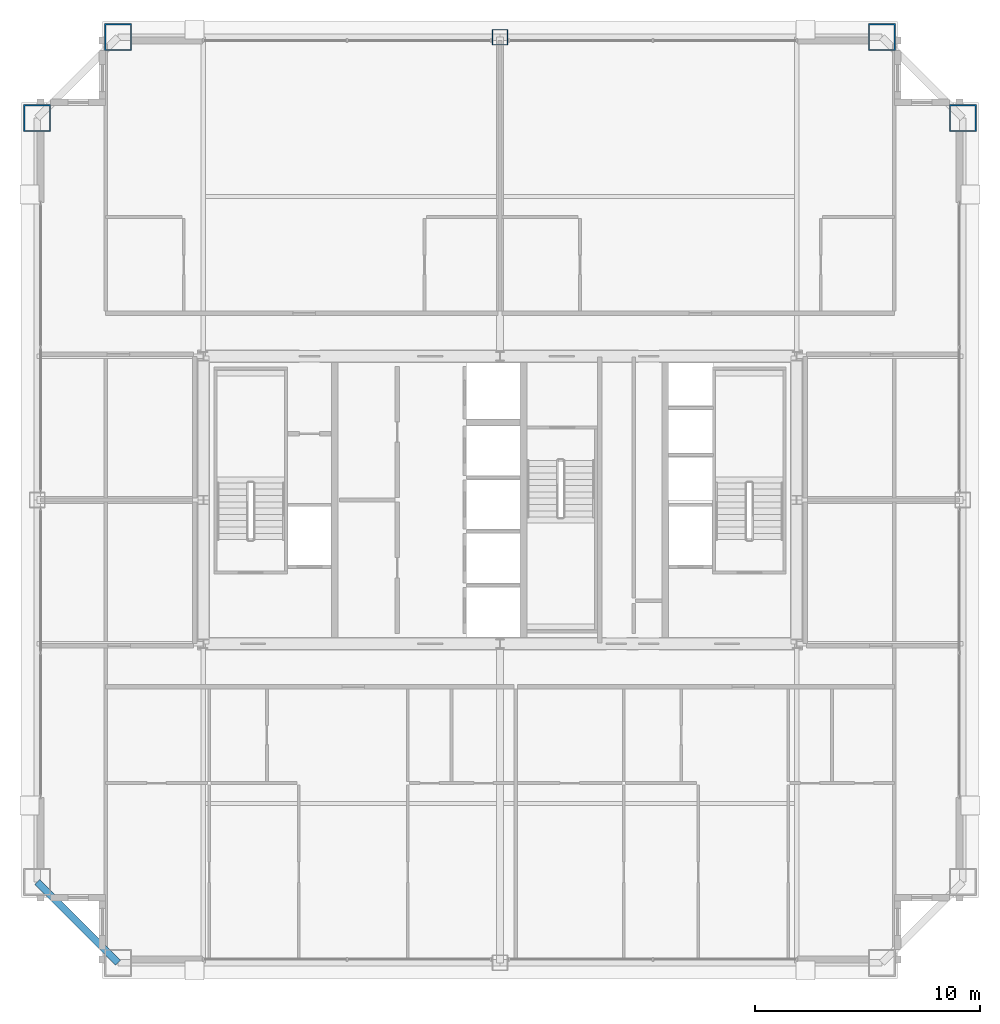
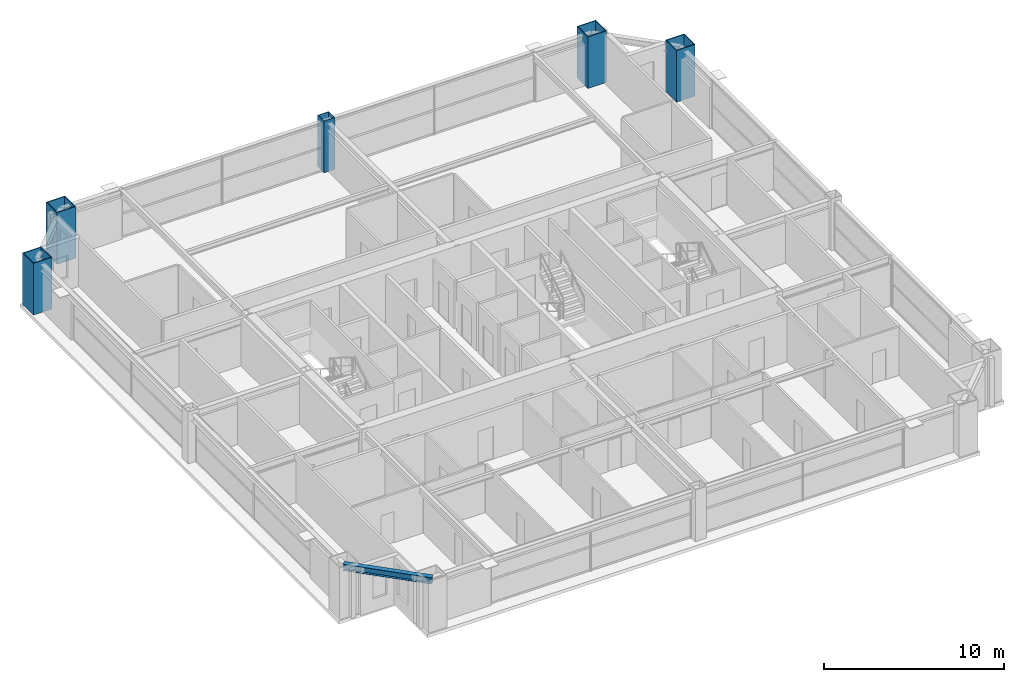
# One storey, part 2 of 36: 5 columns, 1 beam.
"""IFC4 building model written with IfcOpenShell, lengths in metres."""

from ifc_helpers import new_model, si_unit, direction, frame, origin, origin_2d, place, context, subcontext, project, spatial, hollow_rectangle, i_section, extrude, source, transform, mapped, material, material_profile, profile_set, type_object, element, save


model = new_model("IFC4")

# Units and contexts
model_context = context("Model", 3, precision=1e-05, world=origin(), true_north=direction((0.0, 1.0)))
body_context = subcontext(model_context, "Body", "Model", "MODEL_VIEW")
ifc_project = project(units=[si_unit("LENGTHUNIT", "METRE"), si_unit("AREAUNIT", "SQUARE_METRE"), si_unit("VOLUMEUNIT", "CUBIC_METRE"), si_unit("PLANEANGLEUNIT", "RADIAN"), si_unit("MASSUNIT", "GRAM", prefix="KILO"), si_unit("THERMODYNAMICTEMPERATUREUNIT", "KELVIN"), si_unit("POWERUNIT", "WATT")], contexts=[model_context])

# Site, building, storey
site_placement = place(None, origin())
site = spatial("IfcSite", under=ifc_project, at=site_placement, CompositionType="ELEMENT")
building_placement = place(site_placement, origin())
building = spatial("IfcBuilding", under=site, at=building_placement, Name="Yuzanri Waterfront Tower", CompositionType="ELEMENT")
storey_placement = place(building_placement, frame((0.0, 0.0, 224.10009765625)))
storey = spatial("IfcBuildingStorey", under=building, at=storey_placement, Name="L59", CompositionType="ELEMENT", Elevation=224.10009765625)

# Columns
ifc_material_1 = material(Name="Steel Q390GJC", Category="steel")
ifc_material_profile_1 = material_profile(ifc_material_1, hollow_rectangle(XDim=1.199951171875, YDim=1.199951171875, WallThickness=0.054931640625, at=origin_2d()), Name="RHS 1200x1200x55")
ifc_profile_set_1 = profile_set([ifc_material_profile_1], Name="Steel Q390GJC")
column_type_1 = type_object("IfcColumnType", Name="Mega Column Q390GJC RHS 1200x1200x55", PredefinedType="COLUMN", material=ifc_profile_set_1)
shared_shape_1 = source(origin(), body_context, "Body", "SweptSolid", [
    extrude(hollow_rectangle(XDim=1.199951171875, YDim=1.199951171875, WallThickness=0.054931640625, at=origin_2d()), origin(), (0.0, 0.0, 1.0), 3.5),
])
for number, where, z_axis, x_axis, name in (
    (1, (20.0, 46.39990234375, 0.0), (0.0, 0.0, 1.0), (1.0, 0.0, 0.0), "L59 Perimeter Mega Column N1"),
    (2, (54.0, 46.39990234375, 0.0), (0.0, 0.0, 1.0), (1.0, 0.0, 0.0), "L59 Perimeter Mega Column N3"),
    (3, (16.39990234375, 42.800048828125, 0.0), (0.0, 0.0, 1.0), (1.0, 0.0, 0.0), "L59 Perimeter Mega Column W3"),
    (4, (57.60009765625, 42.800048828125, 0.0), (0.0, 0.0, 1.0), (1.0, 0.0, 0.0), "L59 Perimeter Mega Column E3"),
):
    element("IfcColumn", number, at=place(storey_placement, frame(where, z_axis=z_axis, x_axis=x_axis)), inside=storey, type_object=column_type_1, Name=name, PredefinedType="COLUMN", context=body_context, shape_type="MappedRepresentation", body=[
        mapped(shared_shape_1, transform((0.0, 0.0, 0.0), scale=1.0)),
    ])
ifc_material_2 = material(Name="Steel Q355B", Category="steel")
ifc_material_profile_2 = material_profile(ifc_material_2, hollow_rectangle(XDim=0.699951171875, YDim=0.699951171875, WallThickness=0.031982421875, at=origin_2d()), Name="RHS 700x700x32")
ifc_profile_set_2 = profile_set([ifc_material_profile_2], Name="Steel Q355B")
column_type_2 = type_object("IfcColumnType", Name="Frame Column Q355B RHS 700x700x32", PredefinedType="COLUMN", material=ifc_profile_set_2)
shared_shape_2 = source(origin(), body_context, "Body", "SweptSolid", [
    extrude(hollow_rectangle(XDim=0.699951171875, YDim=0.699951171875, WallThickness=0.031982421875, at=origin_2d()), origin(), (0.0, 0.0, 1.0), 3.5),
])
column_placement = place(storey_placement, frame((37.0, 46.39990234375, 0.0), z_axis=(0.0, 0.0, 1.0), x_axis=(1.0, 0.0, 0.0)))
element("IfcColumn", 5, at=column_placement, inside=storey, type_object=column_type_2, Name="L59 Perimeter Frame Column N2", PredefinedType="COLUMN", context=body_context, shape_type="MappedRepresentation", body=[
    mapped(shared_shape_2, transform((0.0, 0.0, 0.0), scale=1.0)),
])

# Beam
ifc_material_3 = material(Name="Steel Q355B", Category="steel")
ifc_material_profile_3 = material_profile(ifc_material_3, i_section(OverallWidth=0.300048828125, OverallDepth=0.43994140625, WebThickness=0.010986328125, FlangeThickness=0.01806640625, at=origin_2d()), Name="HM 440x300x11x18")
ifc_profile_set_3 = profile_set([ifc_material_profile_3], Name="Steel Q355B")
beam_type = type_object("IfcBeamType", Name="Perimeter Spandrel Q355B HM 440x300", PredefinedType="SPANDREL", material=ifc_profile_set_3)
shared_shape_3 = source(origin(), body_context, "Body", "SweptSolid", [
    extrude(i_section(OverallWidth=0.300048828125, OverallDepth=0.43994140625, WebThickness=0.010986328125, FlangeThickness=0.01806640625, at=origin_2d()), origin(), (0.0, 0.0, 1.0), 5.09130859375),
])
beam_placement = place(storey_placement, frame((16.39990234375, 8.800048828125, 3.059814453125), z_axis=(0.707106781187, -0.707106781187, 0.0), x_axis=(0.707106781187, 0.707106781187, 0.0)))
element("IfcBeam", 6, at=beam_placement, inside=storey, type_object=beam_type, Name="L59 Perimeter Spandrel W1-S1", PredefinedType="SPANDREL", context=body_context, shape_type="MappedRepresentation", body=[
    mapped(shared_shape_3, transform((0.0, 0.0, 0.0), scale=1.0)),
])

save(model, "model.ifc")
